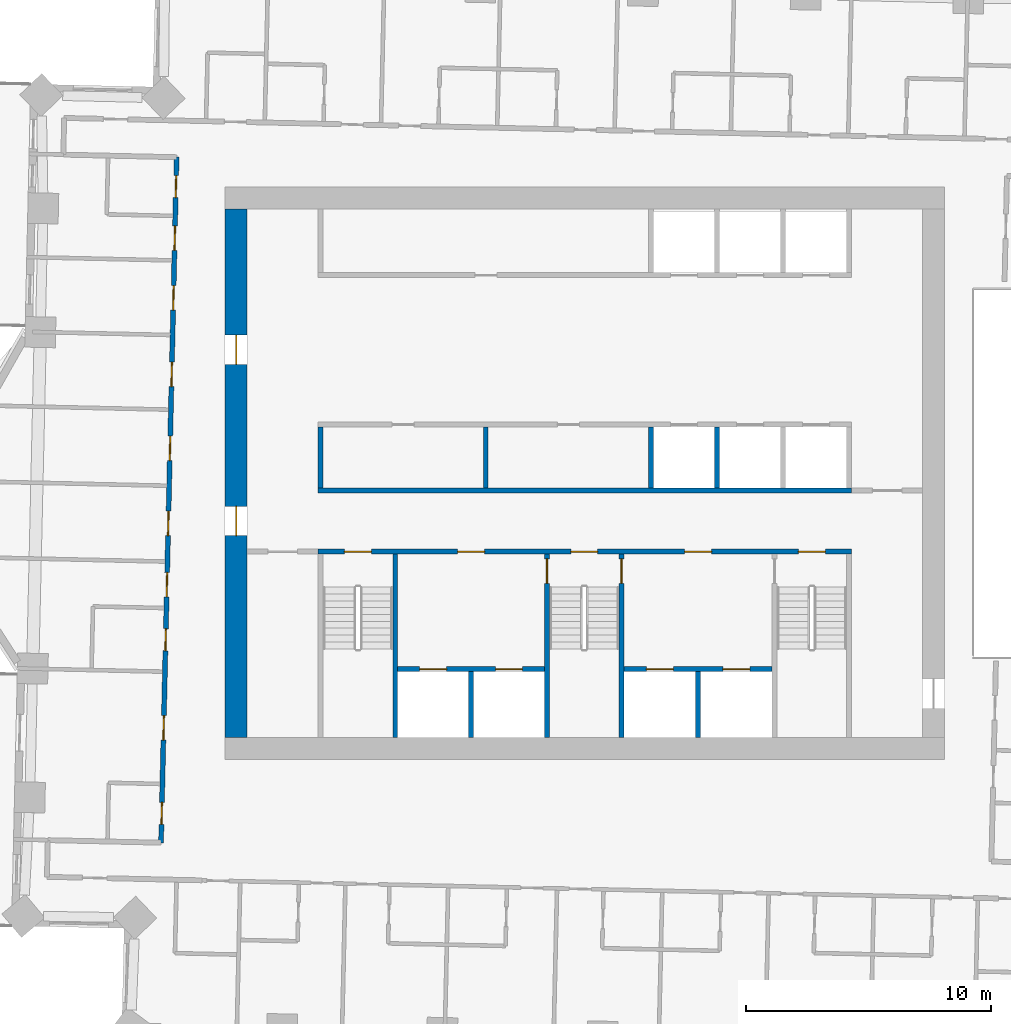
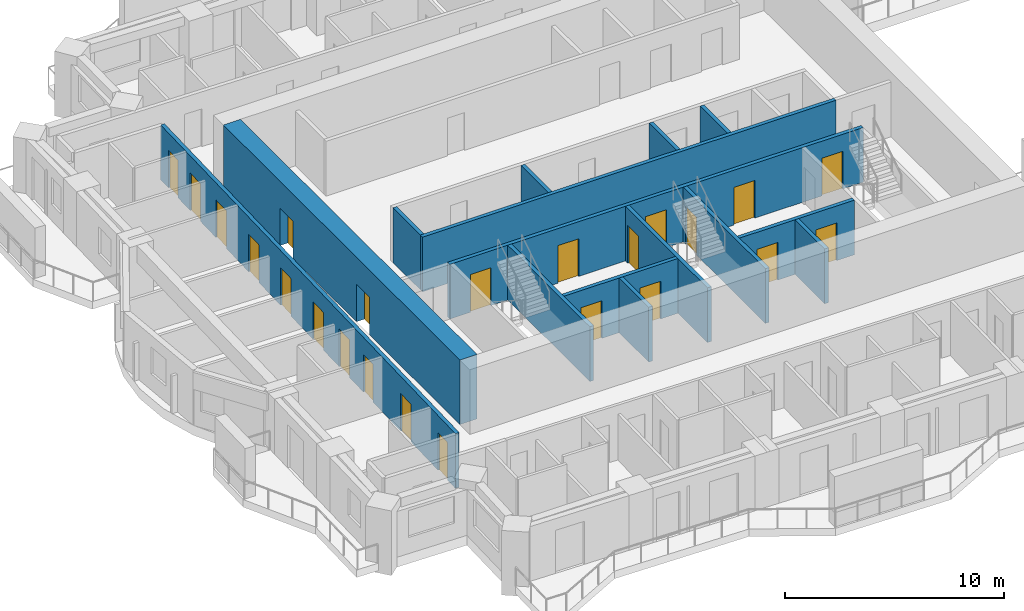
# One storey, part 6 of 15: 23 doors, 15 walls, 23 openings.
"""IFC4 building model written with IfcOpenShell, lengths in metres."""

from ifc_helpers import new_model, si_unit, direction, frame, frame_2d, origin, place, context, subcontext, project, spatial, rectangle, extrude, material, layer, layer_set, type_object, element, fill, save


model = new_model("IFC4")

# Units and contexts
model_context = context("Model", 3, precision=1e-05, world=origin(), true_north=direction((0.0, 1.0)))
body_context = subcontext(model_context, "Body", "Model", "MODEL_VIEW")
ifc_project = project(units=[si_unit("LENGTHUNIT", "METRE"), si_unit("AREAUNIT", "SQUARE_METRE"), si_unit("VOLUMEUNIT", "CUBIC_METRE"), si_unit("PLANEANGLEUNIT", "RADIAN"), si_unit("MASSUNIT", "GRAM", prefix="KILO")], contexts=[model_context])

# Site, building, storey
site_placement = place(None, origin())
site = spatial("IfcSite", under=ifc_project, at=site_placement, CompositionType="ELEMENT")
building_placement = place(site_placement, origin())
building = spatial("IfcBuilding", under=site, at=building_placement, Name="Mangrove Gate Tower", CompositionType="ELEMENT")
storey_placement = place(building_placement, frame((0.0, 0.0, 156.300048828125)))
storey = spatial("IfcBuildingStorey", under=building, at=storey_placement, Name="L39", CompositionType="ELEMENT", Elevation=156.300048828125)

# Walls
ifc_material_1 = material(Name="Concrete C32/40", Category="concrete")
ifc_layer_1 = layer(ifc_material_1, 0.199951171875)
ifc_layer_set_1 = layer_set([ifc_layer_1], Name="Core room wall 200 C32/40")
wall_type_1 = type_object("IfcWallType", Name="Core room wall 200 C32/40", PredefinedType="STANDARD", material=ifc_layer_set_1)
for number, where, z_axis, x_axis, name in (
    (1, (-10.800048828125, -0.60009765625, 0.0), (0.0, 0.0, 1.0), (0.0, 1.0, 0.0), "WALL-L39-CORE-19"),
    (2, (-4.050048828125, -0.60009765625, 0.0), (0.0, 0.0, 1.0), (0.0, 1.0, 0.0), "WALL-L39-CORE-20"),
):
    element("IfcWall", number, at=place(storey_placement, frame(where, z_axis=z_axis, x_axis=x_axis)), inside=storey, type_object=wall_type_1, Name=name, PredefinedType="STANDARD", context=body_context, shape_type="SweptSolid", body=[
        extrude(rectangle(XDim=2.5, YDim=0.199951171875, at=frame_2d((1.25, 0.0))), origin(), (0.0, 0.0, 1.0), 3.050048828125),
    ])
ifc_material_2 = material(Name="Concrete C60/75", Category="concrete")
ifc_layer_2 = layer(ifc_material_2, 0.199951171875)
ifc_layer_set_2 = layer_set([ifc_layer_2], Name="Core shaft wall 200 C60/75")
wall_type_2 = type_object("IfcWallType", Name="Core shaft wall 200 C60/75", PredefinedType="SHEAR", material=ifc_layer_set_2)
wall_1_placement = place(storey_placement, frame((-10.89990234375, -0.699951171875, 0.0), z_axis=(0.0, 0.0, 1.0), x_axis=(1.0, 0.0, 0.0)))
element("IfcWall", 3, at=wall_1_placement, inside=storey, type_object=wall_type_2, Name="WALL-L39-CORE-6", PredefinedType="SHEAR", context=body_context, shape_type="SweptSolid", body=[
    extrude(rectangle(XDim=21.7998046875, YDim=0.199951171875, at=frame_2d((10.89990234375, 0.0))), origin(), (0.0, 0.0, 1.0), 3.050048828125),
])

# Wall, openings, doors
wall_2_placement = place(storey_placement, frame((-7.64990234375, -8.0, 0.0), z_axis=(0.0, 0.0, 1.0), x_axis=(1.0, 0.0, 0.0)))
wall_2 = element("IfcWall", 4, at=wall_2_placement, inside=storey, type_object=wall_type_2, Name="WALL-L39-CORE-15", PredefinedType="SHEAR", context=body_context, shape_type="SweptSolid", body=[
    extrude(rectangle(XDim=6.0, YDim=0.199951171875, at=frame_2d((3.0, 0.0))), origin(), (0.0, 0.0, 1.0), 3.050048828125),
])
opening_1_placement = place(wall_2_placement, frame((0.89990234375, 0.0, 0.0)))
opening_1 = element("IfcOpeningElement", 5, at=opening_1_placement, cuts=wall_2, Name="Opening LD", PredefinedType="OPENING", context=body_context, shape_type="SweptSolid", body=[
    extrude(rectangle(XDim=1.10009765625, YDim=2.10009765625, at=frame_2d((0.550048828125, 1.050048828125))), frame((0.0, 0.10986328125, 0.0), z_axis=(0.0, -1.0, 0.0), x_axis=(1.0, 0.0, 0.0)), (0.0, 0.0, 1.0), 0.219970703125),
])
opening_2_placement = place(wall_2_placement, frame((4.0, 0.0, 0.0)))
opening_2 = element("IfcOpeningElement", 6, at=opening_2_placement, cuts=wall_2, Name="Opening LD", PredefinedType="OPENING", context=body_context, shape_type="SweptSolid", body=[
    extrude(rectangle(XDim=1.10009765625, YDim=2.10009765625, at=frame_2d((0.550048828125, 1.050048828125))), frame((0.0, 0.10986328125, 0.0), z_axis=(0.0, -1.0, 0.0), x_axis=(1.0, 0.0, 0.0)), (0.0, 0.0, 1.0), 0.219970703125),
])
ifc_material_3 = material(Name="Stainless steel 316", Category="steel")
door_type_1 = type_object("IfcDoorType", Name="Lift landing door 1100x2100", OperationType="SLIDING_TO_LEFT", PredefinedType="DOOR", material=ifc_material_3)
door_1_placement = place(opening_1_placement, origin())
door_1 = element("IfcDoor", 7, at=door_1_placement, inside=storey, type_object=door_type_1, Name="Landing door LD SVL1", OperationType="SLIDING_TO_LEFT", OverallHeight=2.10009765625, OverallWidth=1.10009765625, PredefinedType="DOOR", context=body_context, shape_type="SweptSolid", body=[
    extrude(rectangle(XDim=1.10009765625, YDim=2.10009765625, at=frame_2d((0.550048828125, 1.050048828125))), frame((0.0, 0.02490234375, 0.0), z_axis=(0.0, -1.0, 0.0), x_axis=(1.0, 0.0, 0.0)), (0.0, 0.0, 1.0), 0.050048828125),
])
fill(opening_1, door_1)
door_2_placement = place(opening_2_placement, origin())
door_2 = element("IfcDoor", 8, at=door_2_placement, inside=storey, type_object=door_type_1, Name="Landing door LD SVL2", OperationType="SLIDING_TO_LEFT", OverallHeight=2.10009765625, OverallWidth=1.10009765625, PredefinedType="DOOR", context=body_context, shape_type="SweptSolid", body=[
    extrude(rectangle(XDim=1.10009765625, YDim=2.10009765625, at=frame_2d((0.550048828125, 1.050048828125))), frame((0.0, 0.02490234375, 0.0), z_axis=(0.0, -1.0, 0.0), x_axis=(1.0, 0.0, 0.0)), (0.0, 0.0, 1.0), 0.050048828125),
])
fill(opening_2, door_2)

# Wall
wall_3_placement = place(storey_placement, frame((-4.64990234375, -10.800048828125, 0.0), z_axis=(0.0, 0.0, 1.0), x_axis=(0.0, 1.0, 0.0)))
element("IfcWall", 9, at=wall_3_placement, inside=storey, type_object=wall_type_2, Name="WALL-L39-CORE-16", PredefinedType="SHEAR", context=body_context, shape_type="SweptSolid", body=[
    extrude(rectangle(XDim=2.699951171875, YDim=0.199951171875, at=frame_2d((1.35009765625, 0.0))), origin(), (0.0, 0.0, 1.0), 3.050048828125),
])

# Wall, openings, doors
wall_4_placement = place(storey_placement, frame((1.60009765625, -8.0, 0.0), z_axis=(0.0, 0.0, 1.0), x_axis=(1.0, 0.0, 0.0)))
wall_4 = element("IfcWall", 10, at=wall_4_placement, inside=storey, type_object=wall_type_2, Name="WALL-L39-CORE-17", PredefinedType="SHEAR", context=body_context, shape_type="SweptSolid", body=[
    extrude(rectangle(XDim=6.0498046875, YDim=0.199951171875, at=frame_2d((3.02490234375, 0.0))), origin(), (0.0, 0.0, 1.0), 3.050048828125),
])
opening_3_placement = place(wall_4_placement, frame((0.91259765625, 0.0, 0.0)))
opening_3 = element("IfcOpeningElement", 11, at=opening_3_placement, cuts=wall_4, Name="Opening LD", PredefinedType="OPENING", context=body_context, shape_type="SweptSolid", body=[
    extrude(rectangle(XDim=1.10009765625, YDim=2.10009765625, at=frame_2d((0.550048828125, 1.050048828125))), frame((0.0, 0.10986328125, 0.0), z_axis=(0.0, -1.0, 0.0), x_axis=(1.0, 0.0, 0.0)), (0.0, 0.0, 1.0), 0.219970703125),
])
opening_4_placement = place(wall_4_placement, frame((4.03759765625, 0.0, 0.0)))
opening_4 = element("IfcOpeningElement", 12, at=opening_4_placement, cuts=wall_4, Name="Opening LD", PredefinedType="OPENING", context=body_context, shape_type="SweptSolid", body=[
    extrude(rectangle(XDim=1.10009765625, YDim=2.10009765625, at=frame_2d((0.550048828125, 1.050048828125))), frame((0.0, 0.10986328125, 0.0), z_axis=(0.0, -1.0, 0.0), x_axis=(1.0, 0.0, 0.0)), (0.0, 0.0, 1.0), 0.219970703125),
])
door_3_placement = place(opening_3_placement, origin())
door_3 = element("IfcDoor", 13, at=door_3_placement, inside=storey, type_object=door_type_1, Name="Landing door LD FFL1", OperationType="SLIDING_TO_LEFT", OverallHeight=2.10009765625, OverallWidth=1.10009765625, PredefinedType="DOOR", context=body_context, shape_type="SweptSolid", body=[
    extrude(rectangle(XDim=1.10009765625, YDim=2.10009765625, at=frame_2d((0.550048828125, 1.050048828125))), frame((0.0, 0.02490234375, 0.0), z_axis=(0.0, -1.0, 0.0), x_axis=(1.0, 0.0, 0.0)), (0.0, 0.0, 1.0), 0.050048828125),
])
fill(opening_3, door_3)
door_4_placement = place(opening_4_placement, origin())
door_4 = element("IfcDoor", 14, at=door_4_placement, inside=storey, type_object=door_type_1, Name="Landing door LD FFL2", OperationType="SLIDING_TO_LEFT", OverallHeight=2.10009765625, OverallWidth=1.10009765625, PredefinedType="DOOR", context=body_context, shape_type="SweptSolid", body=[
    extrude(rectangle(XDim=1.10009765625, YDim=2.10009765625, at=frame_2d((0.550048828125, 1.050048828125))), frame((0.0, 0.02490234375, 0.0), z_axis=(0.0, -1.0, 0.0), x_axis=(1.0, 0.0, 0.0)), (0.0, 0.0, 1.0), 0.050048828125),
])
fill(opening_4, door_4)

# Walls
wall_5_placement = place(storey_placement, frame((4.625, -10.800048828125, 0.0), z_axis=(0.0, 0.0, 1.0), x_axis=(0.0, 1.0, 0.0)))
element("IfcWall", 15, at=wall_5_placement, inside=storey, type_object=wall_type_2, Name="WALL-L39-CORE-18", PredefinedType="SHEAR", context=body_context, shape_type="SweptSolid", body=[
    extrude(rectangle(XDim=2.699951171875, YDim=0.199951171875, at=frame_2d((1.35009765625, 0.0))), origin(), (0.0, 0.0, 1.0), 3.050048828125),
])
for number, where, z_axis, x_axis, name in (
    (16, (2.699951171875, -0.60009765625, 0.0), (0.0, 0.0, 1.0), (0.0, 1.0, 0.0), "WALL-L39-CORE-21"),
    (17, (5.39990234375, -0.60009765625, 0.0), (0.0, 0.0, 1.0), (0.0, 1.0, 0.0), "WALL-L39-CORE-22"),
):
    element("IfcWall", number, at=place(storey_placement, frame(where, z_axis=z_axis, x_axis=x_axis)), inside=storey, type_object=wall_type_2, Name=name, PredefinedType="SHEAR", context=body_context, shape_type="SweptSolid", body=[
        extrude(rectangle(XDim=2.5, YDim=0.199951171875, at=frame_2d((1.25, 0.0))), origin(), (0.0, 0.0, 1.0), 3.050048828125),
    ])

# Wall, openings, doors
ifc_material_4 = material(Name="Concrete C60/75", Category="concrete")
ifc_layer_3 = layer(ifc_material_4, 0.199951171875)
ifc_layer_set_3 = layer_set([ifc_layer_3], Name="Core stair wall 200 C60/75")
wall_type_3 = type_object("IfcWallType", Name="Core stair wall 200 C60/75", PredefinedType="SHEAR", material=ifc_layer_set_3)
wall_6_placement = place(storey_placement, frame((-10.89990234375, -3.199951171875, 0.0), z_axis=(0.0, 0.0, 1.0), x_axis=(1.0, 0.0, 0.0)))
wall_6 = element("IfcWall", 18, at=wall_6_placement, inside=storey, type_object=wall_type_3, Name="WALL-L39-CORE-5", PredefinedType="SHEAR", context=body_context, shape_type="SweptSolid", body=[
    extrude(rectangle(XDim=21.7998046875, YDim=0.199951171875, at=frame_2d((10.89990234375, 0.0))), origin(), (0.0, 0.0, 1.0), 3.050048828125),
])
opening_5_placement = place(wall_6_placement, frame((1.074951171875, 0.0, 0.0)))
opening_5 = element("IfcOpeningElement", 19, at=opening_5_placement, cuts=wall_6, Name="Opening STD11", PredefinedType="OPENING", context=body_context, shape_type="SweptSolid", body=[
    extrude(rectangle(XDim=1.10009765625, YDim=2.10009765625, at=frame_2d((0.550048828125, 1.050048828125))), frame((0.0, 0.10986328125, 0.0), z_axis=(0.0, -1.0, 0.0), x_axis=(1.0, 0.0, 0.0)), (0.0, 0.0, 1.0), 0.219970703125),
])
opening_6_placement = place(wall_6_placement, frame((10.324951171875, 0.0, 0.0)))
opening_6 = element("IfcOpeningElement", 20, at=opening_6_placement, cuts=wall_6, Name="Opening STD11", PredefinedType="OPENING", context=body_context, shape_type="SweptSolid", body=[
    extrude(rectangle(XDim=1.10009765625, YDim=2.10009765625, at=frame_2d((0.550048828125, 1.050048828125))), frame((0.0, 0.10986328125, 0.0), z_axis=(0.0, -1.0, 0.0), x_axis=(1.0, 0.0, 0.0)), (0.0, 0.0, 1.0), 0.219970703125),
])
opening_7_placement = place(wall_6_placement, frame((19.625, 0.0, 0.0)))
opening_7 = element("IfcOpeningElement", 21, at=opening_7_placement, cuts=wall_6, Name="Opening STD11", PredefinedType="OPENING", context=body_context, shape_type="SweptSolid", body=[
    extrude(rectangle(XDim=1.10009765625, YDim=2.10009765625, at=frame_2d((0.550048828125, 1.050048828125))), frame((0.0, 0.10986328125, 0.0), z_axis=(0.0, -1.0, 0.0), x_axis=(1.0, 0.0, 0.0)), (0.0, 0.0, 1.0), 0.219970703125),
])
opening_8_placement = place(wall_6_placement, frame((5.699951171875, 0.0, 0.0)))
opening_8 = element("IfcOpeningElement", 22, at=opening_8_placement, cuts=wall_6, Name="Opening FL", PredefinedType="OPENING", context=body_context, shape_type="SweptSolid", body=[
    extrude(rectangle(XDim=1.10009765625, YDim=2.10009765625, at=frame_2d((0.550048828125, 1.050048828125))), frame((0.0, 0.10986328125, 0.0), z_axis=(0.0, -1.0, 0.0), x_axis=(1.0, 0.0, 0.0)), (0.0, 0.0, 1.0), 0.219970703125),
])
opening_9_placement = place(wall_6_placement, frame((14.97509765625, 0.0, 0.0)))
opening_9 = element("IfcOpeningElement", 23, at=opening_9_placement, cuts=wall_6, Name="Opening FL", PredefinedType="OPENING", context=body_context, shape_type="SweptSolid", body=[
    extrude(rectangle(XDim=1.10009765625, YDim=2.10009765625, at=frame_2d((0.550048828125, 1.050048828125))), frame((0.0, 0.10986328125, 0.0), z_axis=(0.0, -1.0, 0.0), x_axis=(1.0, 0.0, 0.0)), (0.0, 0.0, 1.0), 0.219970703125),
])
ifc_material_5 = material(Name="Fire-rated steel door set", Category="steel")
door_type_2 = type_object("IfcDoorType", Name="Lobby door FD60 1100x2100", OperationType="SINGLE_SWING_LEFT", PredefinedType="DOOR", material=ifc_material_5)
door_5_placement = place(opening_8_placement, origin())
door_5 = element("IfcDoor", 24, at=door_5_placement, inside=storey, type_object=door_type_2, Name="Lobby door service lobby", OperationType="SINGLE_SWING_LEFT", OverallHeight=2.10009765625, OverallWidth=1.10009765625, PredefinedType="DOOR", context=body_context, shape_type="SweptSolid", body=[
    extrude(rectangle(XDim=1.10009765625, YDim=2.10009765625, at=frame_2d((0.550048828125, 1.050048828125))), frame((0.0, 0.02490234375, 0.0), z_axis=(0.0, -1.0, 0.0), x_axis=(1.0, 0.0, 0.0)), (0.0, 0.0, 1.0), 0.050048828125),
])
fill(opening_8, door_5)
door_6_placement = place(opening_9_placement, origin())
door_6 = element("IfcDoor", 25, at=door_6_placement, inside=storey, type_object=door_type_2, Name="Lobby door fire-fighting lobby", OperationType="SINGLE_SWING_LEFT", OverallHeight=2.10009765625, OverallWidth=1.10009765625, PredefinedType="DOOR", context=body_context, shape_type="SweptSolid", body=[
    extrude(rectangle(XDim=1.10009765625, YDim=2.10009765625, at=frame_2d((0.550048828125, 1.050048828125))), frame((0.0, 0.02490234375, 0.0), z_axis=(0.0, -1.0, 0.0), x_axis=(1.0, 0.0, 0.0)), (0.0, 0.0, 1.0), 0.050048828125),
])
fill(opening_9, door_6)
ifc_material_6 = material(Name="Fire-rated steel door set", Category="steel")
door_type_3 = type_object("IfcDoorType", Name="Stair door FD60 1100x2100", OperationType="SINGLE_SWING_RIGHT", PredefinedType="DOOR", material=ifc_material_6)
door_7_placement = place(opening_5_placement, origin())
door_7 = element("IfcDoor", 26, at=door_7_placement, inside=storey, type_object=door_type_3, Name="Stair door Stair 1", OperationType="SINGLE_SWING_RIGHT", OverallHeight=2.10009765625, OverallWidth=1.10009765625, PredefinedType="DOOR", context=body_context, shape_type="SweptSolid", body=[
    extrude(rectangle(XDim=1.10009765625, YDim=2.10009765625, at=frame_2d((0.550048828125, 1.050048828125))), frame((0.0, 0.02490234375, 0.0), z_axis=(0.0, -1.0, 0.0), x_axis=(1.0, 0.0, 0.0)), (0.0, 0.0, 1.0), 0.050048828125),
])
fill(opening_5, door_7)
door_8_placement = place(opening_6_placement, origin())
door_8 = element("IfcDoor", 27, at=door_8_placement, inside=storey, type_object=door_type_3, Name="Stair door Stair 2", OperationType="SINGLE_SWING_RIGHT", OverallHeight=2.10009765625, OverallWidth=1.10009765625, PredefinedType="DOOR", context=body_context, shape_type="SweptSolid", body=[
    extrude(rectangle(XDim=1.10009765625, YDim=2.10009765625, at=frame_2d((0.550048828125, 1.050048828125))), frame((0.0, 0.02490234375, 0.0), z_axis=(0.0, -1.0, 0.0), x_axis=(1.0, 0.0, 0.0)), (0.0, 0.0, 1.0), 0.050048828125),
])
fill(opening_6, door_8)
door_9_placement = place(opening_7_placement, origin())
door_9 = element("IfcDoor", 28, at=door_9_placement, inside=storey, type_object=door_type_3, Name="Stair door Stair 3", OperationType="SINGLE_SWING_RIGHT", OverallHeight=2.10009765625, OverallWidth=1.10009765625, PredefinedType="DOOR", context=body_context, shape_type="SweptSolid", body=[
    extrude(rectangle(XDim=1.10009765625, YDim=2.10009765625, at=frame_2d((0.550048828125, 1.050048828125))), frame((0.0, 0.02490234375, 0.0), z_axis=(0.0, -1.0, 0.0), x_axis=(1.0, 0.0, 0.0)), (0.0, 0.0, 1.0), 0.050048828125),
])
fill(opening_7, door_9)

# Wall
wall_7_placement = place(storey_placement, frame((-7.75, -10.800048828125, 0.0), z_axis=(0.0, 0.0, 1.0), x_axis=(0.0, 1.0, 0.0)))
element("IfcWall", 29, at=wall_7_placement, inside=storey, type_object=wall_type_3, Name="WALL-L39-CORE-10", PredefinedType="SHEAR", context=body_context, shape_type="SweptSolid", body=[
    extrude(rectangle(XDim=7.5, YDim=0.199951171875, at=frame_2d((3.75, 0.0))), origin(), (0.0, 0.0, 1.0), 3.050048828125),
])

# Wall, opening, door
wall_8_placement = place(storey_placement, frame((-1.550048828125, -10.800048828125, 0.0), z_axis=(0.0, 0.0, 1.0), x_axis=(0.0, 1.0, 0.0)))
wall_8 = element("IfcWall", 30, at=wall_8_placement, inside=storey, type_object=wall_type_3, Name="WALL-L39-CORE-11", PredefinedType="SHEAR", context=body_context, shape_type="SweptSolid", body=[
    extrude(rectangle(XDim=7.5, YDim=0.199951171875, at=frame_2d((3.75, 0.0))), origin(), (0.0, 0.0, 1.0), 3.050048828125),
])
opening_10_placement = place(wall_8_placement, frame((6.300048828125, 0.0, 0.0)))
opening_10 = element("IfcOpeningElement", 31, at=opening_10_placement, cuts=wall_8, Name="Opening STD10", PredefinedType="OPENING", context=body_context, shape_type="SweptSolid", body=[
    extrude(rectangle(XDim=1.0, YDim=2.10009765625, at=frame_2d((0.5, 1.050048828125))), frame((0.0, 0.10986328125, 0.0), z_axis=(0.0, -1.0, 0.0), x_axis=(1.0, 0.0, 0.0)), (0.0, 0.0, 1.0), 0.219970703125),
])
ifc_material_7 = material(Name="Fire-rated steel door set", Category="steel")
door_type_4 = type_object("IfcDoorType", Name="Stair door FD60 1000x2100", OperationType="SINGLE_SWING_RIGHT", PredefinedType="DOOR", material=ifc_material_7)
door_10_placement = place(opening_10_placement, origin())
door_10 = element("IfcDoor", 32, at=door_10_placement, inside=storey, type_object=door_type_4, Name="Stair door Stair 2 from service lobby", OperationType="SINGLE_SWING_RIGHT", OverallHeight=2.10009765625, OverallWidth=1.0, PredefinedType="DOOR", context=body_context, shape_type="SweptSolid", body=[
    extrude(rectangle(XDim=1.0, YDim=2.10009765625, at=frame_2d((0.5, 1.050048828125))), frame((0.0, 0.02490234375, 0.0), z_axis=(0.0, -1.0, 0.0), x_axis=(1.0, 0.0, 0.0)), (0.0, 0.0, 1.0), 0.050048828125),
])
fill(opening_10, door_10)

wall_9_placement = place(storey_placement, frame((1.5, -10.800048828125, 0.0), z_axis=(0.0, 0.0, 1.0), x_axis=(0.0, 1.0, 0.0)))
wall_9 = element("IfcWall", 33, at=wall_9_placement, inside=storey, type_object=wall_type_3, Name="WALL-L39-CORE-12", PredefinedType="SHEAR", context=body_context, shape_type="SweptSolid", body=[
    extrude(rectangle(XDim=7.5, YDim=0.199951171875, at=frame_2d((3.75, 0.0))), origin(), (0.0, 0.0, 1.0), 3.050048828125),
])
opening_11_placement = place(wall_9_placement, frame((6.300048828125, 0.0, 0.0)))
opening_11 = element("IfcOpeningElement", 34, at=opening_11_placement, cuts=wall_9, Name="Opening STD10", PredefinedType="OPENING", context=body_context, shape_type="SweptSolid", body=[
    extrude(rectangle(XDim=1.0, YDim=2.10009765625, at=frame_2d((0.5, 1.050048828125))), frame((0.0, 0.10986328125, 0.0), z_axis=(0.0, -1.0, 0.0), x_axis=(1.0, 0.0, 0.0)), (0.0, 0.0, 1.0), 0.219970703125),
])
door_11_placement = place(opening_11_placement, origin())
door_11 = element("IfcDoor", 35, at=door_11_placement, inside=storey, type_object=door_type_4, Name="Stair door Stair 2 from fire-fighting lobby", OperationType="SINGLE_SWING_RIGHT", OverallHeight=2.10009765625, OverallWidth=1.0, PredefinedType="DOOR", context=body_context, shape_type="SweptSolid", body=[
    extrude(rectangle(XDim=1.0, YDim=2.10009765625, at=frame_2d((0.5, 1.050048828125))), frame((0.0, 0.02490234375, 0.0), z_axis=(0.0, -1.0, 0.0), x_axis=(1.0, 0.0, 0.0)), (0.0, 0.0, 1.0), 0.050048828125),
])
fill(opening_11, door_11)

# Wall, openings, doors
ifc_material_8 = material(Name="Concrete C60/75", Category="concrete")
ifc_layer_4 = layer(ifc_material_8, 0.89990234375)
ifc_layer_set_4 = layer_set([ifc_layer_4], Name="Core wall 900 C60/75")
wall_type_4 = type_object("IfcWallType", Name="Core wall 900 C60/75", PredefinedType="SHEAR", material=ifc_layer_set_4)
wall_10_placement = place(storey_placement, frame((-14.25, -10.800048828125, 0.0), z_axis=(0.0, 0.0, 1.0), x_axis=(0.0, 1.0, 0.0)))
wall_10 = element("IfcWall", 36, at=wall_10_placement, inside=storey, type_object=wall_type_4, Name="WALL-L39-CORE-3", PredefinedType="SHEAR", context=body_context, shape_type="SweptSolid", body=[
    extrude(rectangle(XDim=21.60009765625, YDim=0.89990234375, at=frame_2d((10.800048828125, 0.0))), origin(), (0.0, 0.0, 1.0), 3.599853515625),
])
opening_12_placement = place(wall_10_placement, frame((8.25, 0.0, 0.0)))
opening_12 = element("IfcOpeningElement", 37, at=opening_12_placement, cuts=wall_10, Name="Opening CD", PredefinedType="OPENING", context=body_context, shape_type="SweptSolid", body=[
    extrude(rectangle(XDim=1.199951171875, YDim=2.10009765625, at=frame_2d((0.60009765625, 1.050048828125))), frame((0.0, 0.4599609375, 0.0), z_axis=(0.0, -1.0, 0.0), x_axis=(1.0, 0.0, 0.0)), (0.0, 0.0, 1.0), 0.919921875),
])
opening_13_placement = place(wall_10_placement, frame((15.25, 0.0, 0.0)))
opening_13 = element("IfcOpeningElement", 38, at=opening_13_placement, cuts=wall_10, Name="Opening CD", PredefinedType="OPENING", context=body_context, shape_type="SweptSolid", body=[
    extrude(rectangle(XDim=1.199951171875, YDim=2.10009765625, at=frame_2d((0.60009765625, 1.050048828125))), frame((0.0, 0.4599609375, 0.0), z_axis=(0.0, -1.0, 0.0), x_axis=(1.0, 0.0, 0.0)), (0.0, 0.0, 1.0), 0.919921875),
])
ifc_material_9 = material(Name="Fire-rated steel door set", Category="steel")
door_type_5 = type_object("IfcDoorType", Name="Core ring door FD60 1200x2100", OperationType="DOUBLE_DOOR_SINGLE_SWING", PredefinedType="DOOR", material=ifc_material_9)
door_12_placement = place(opening_12_placement, origin())
door_12 = element("IfcDoor", 39, at=door_12_placement, inside=storey, type_object=door_type_5, Name="Core ring door W1", OperationType="DOUBLE_DOOR_SINGLE_SWING", OverallHeight=2.10009765625, OverallWidth=1.199951171875, PredefinedType="DOOR", context=body_context, shape_type="SweptSolid", body=[
    extrude(rectangle(XDim=1.199951171875, YDim=2.10009765625, at=frame_2d((0.60009765625, 1.050048828125))), frame((0.0, 0.02490234375, 0.0), z_axis=(0.0, -1.0, 0.0), x_axis=(1.0, 0.0, 0.0)), (0.0, 0.0, 1.0), 0.050048828125),
])
fill(opening_12, door_12)
door_13_placement = place(opening_13_placement, origin())
door_13 = element("IfcDoor", 40, at=door_13_placement, inside=storey, type_object=door_type_5, Name="Core ring door W2", OperationType="DOUBLE_DOOR_SINGLE_SWING", OverallHeight=2.10009765625, OverallWidth=1.199951171875, PredefinedType="DOOR", context=body_context, shape_type="SweptSolid", body=[
    extrude(rectangle(XDim=1.199951171875, YDim=2.10009765625, at=frame_2d((0.60009765625, 1.050048828125))), frame((0.0, 0.02490234375, 0.0), z_axis=(0.0, -1.0, 0.0), x_axis=(1.0, 0.0, 0.0)), (0.0, 0.0, 1.0), 0.050048828125),
])
fill(opening_13, door_13)

ifc_material_10 = material(Name="Gypsum board on steel stud, EI 60", Category="steel")
ifc_layer_5 = layer(ifc_material_10, 0.199951171875)
ifc_layer_set_5 = layer_set([ifc_layer_5], Name="Corridor wall EI 60")
wall_type_5 = type_object("IfcWallType", Name="Corridor wall EI 60", PredefinedType="PARTITIONING", material=ifc_layer_set_5)
wall_11_placement = place(storey_placement, frame((-17.320068359375, -15.097900390625, 0.0), z_axis=(0.0, 0.0, 1.0), x_axis=(0.022694293906, 0.999742451346, 0.0)))
wall_11 = element("IfcWall", 41, at=wall_11_placement, inside=storey, type_object=wall_type_5, Name="WALL-L39-030", PredefinedType="PARTITIONING", context=body_context, shape_type="SweptSolid", body=[
    extrude(rectangle(XDim=28.024169921875, YDim=0.199951171875, at=frame_2d((14.01220703125, 0.0))), origin(), (0.0, 0.0, 1.0), 3.050048828125),
])
opening_14_placement = place(wall_11_placement, frame((24.2119140625, 0.0, 0.0)))
opening_14 = element("IfcOpeningElement", 42, at=opening_14_placement, cuts=wall_11, Name="Opening AD", PredefinedType="OPENING", context=body_context, shape_type="SweptSolid", body=[
    extrude(rectangle(XDim=1.0, YDim=2.10009765625, at=frame_2d((0.5, 1.050048828125))), frame((0.0, 0.10986328125, 0.0), z_axis=(0.0, -1.0, 0.0), x_axis=(1.0, 0.0, 0.0)), (0.0, 0.0, 1.0), 0.219970703125),
])
opening_15_placement = place(wall_11_placement, frame((26.3740234375, 0.0, 0.0)))
opening_15 = element("IfcOpeningElement", 43, at=opening_15_placement, cuts=wall_11, Name="Opening SD", PredefinedType="OPENING", context=body_context, shape_type="SweptSolid", body=[
    extrude(rectangle(XDim=0.89990234375, YDim=2.10009765625, at=frame_2d((0.449951171875, 1.050048828125))), frame((0.0, 0.10986328125, 0.0), z_axis=(0.0, -1.0, 0.0), x_axis=(1.0, 0.0, 0.0)), (0.0, 0.0, 1.0), 0.219970703125),
])
opening_16_placement = place(wall_11_placement, frame((21.77392578125, 0.0, 0.0)))
opening_16 = element("IfcOpeningElement", 44, at=opening_16_placement, cuts=wall_11, Name="Opening AD", PredefinedType="OPENING", context=body_context, shape_type="SweptSolid", body=[
    extrude(rectangle(XDim=1.0, YDim=2.10009765625, at=frame_2d((0.5, 1.050048828125))), frame((0.0, 0.10986328125, 0.0), z_axis=(0.0, -1.0, 0.0), x_axis=(1.0, 0.0, 0.0)), (0.0, 0.0, 1.0), 0.219970703125),
])
opening_17_placement = place(wall_11_placement, frame((18.64990234375, 0.0, 0.0)))
opening_17 = element("IfcOpeningElement", 45, at=opening_17_placement, cuts=wall_11, Name="Opening AD", PredefinedType="OPENING", context=body_context, shape_type="SweptSolid", body=[
    extrude(rectangle(XDim=1.0, YDim=2.10009765625, at=frame_2d((0.5, 1.050048828125))), frame((0.0, 0.10986328125, 0.0), z_axis=(0.0, -1.0, 0.0), x_axis=(1.0, 0.0, 0.0)), (0.0, 0.0, 1.0), 0.219970703125),
])
opening_18_placement = place(wall_11_placement, frame((15.6259765625, 0.0, 0.0)))
opening_18 = element("IfcOpeningElement", 46, at=opening_18_placement, cuts=wall_11, Name="Opening AD", PredefinedType="OPENING", context=body_context, shape_type="SweptSolid", body=[
    extrude(rectangle(XDim=1.0, YDim=2.10009765625, at=frame_2d((0.5, 1.050048828125))), frame((0.0, 0.10986328125, 0.0), z_axis=(0.0, -1.0, 0.0), x_axis=(1.0, 0.0, 0.0)), (0.0, 0.0, 1.0), 0.219970703125),
])
opening_19_placement = place(wall_11_placement, frame((12.556884765625, 0.0, 0.0)))
opening_19 = element("IfcOpeningElement", 47, at=opening_19_placement, cuts=wall_11, Name="Opening AD", PredefinedType="OPENING", context=body_context, shape_type="SweptSolid", body=[
    extrude(rectangle(XDim=1.0, YDim=2.10009765625, at=frame_2d((0.5, 1.050048828125))), frame((0.0, 0.10986328125, 0.0), z_axis=(0.0, -1.0, 0.0), x_axis=(1.0, 0.0, 0.0)), (0.0, 0.0, 1.0), 0.219970703125),
])
opening_20_placement = place(wall_11_placement, frame((10.049072265625, 0.0, 0.0)))
opening_20 = element("IfcOpeningElement", 48, at=opening_20_placement, cuts=wall_11, Name="Opening AD", PredefinedType="OPENING", context=body_context, shape_type="SweptSolid", body=[
    extrude(rectangle(XDim=1.0, YDim=2.10009765625, at=frame_2d((0.5, 1.050048828125))), frame((0.0, 0.10986328125, 0.0), z_axis=(0.0, -1.0, 0.0), x_axis=(1.0, 0.0, 0.0)), (0.0, 0.0, 1.0), 0.219970703125),
])
opening_21_placement = place(wall_11_placement, frame((7.84912109375, 0.0, 0.0)))
opening_21 = element("IfcOpeningElement", 49, at=opening_21_placement, cuts=wall_11, Name="Opening SD", PredefinedType="OPENING", context=body_context, shape_type="SweptSolid", body=[
    extrude(rectangle(XDim=0.89990234375, YDim=2.10009765625, at=frame_2d((0.449951171875, 1.050048828125))), frame((0.0, 0.10986328125, 0.0), z_axis=(0.0, -1.0, 0.0), x_axis=(1.0, 0.0, 0.0)), (0.0, 0.0, 1.0), 0.219970703125),
])
opening_22_placement = place(wall_11_placement, frame((4.198974609375, 0.0, 0.0)))
opening_22 = element("IfcOpeningElement", 50, at=opening_22_placement, cuts=wall_11, Name="Opening AD", PredefinedType="OPENING", context=body_context, shape_type="SweptSolid", body=[
    extrude(rectangle(XDim=1.0, YDim=2.10009765625, at=frame_2d((0.5, 1.050048828125))), frame((0.0, 0.10986328125, 0.0), z_axis=(0.0, -1.0, 0.0), x_axis=(1.0, 0.0, 0.0)), (0.0, 0.0, 1.0), 0.219970703125),
])
opening_23_placement = place(wall_11_placement, frame((0.75, 0.0, 0.0)))
opening_23 = element("IfcOpeningElement", 51, at=opening_23_placement, cuts=wall_11, Name="Opening SD", PredefinedType="OPENING", context=body_context, shape_type="SweptSolid", body=[
    extrude(rectangle(XDim=0.89990234375, YDim=2.10009765625, at=frame_2d((0.449951171875, 1.050048828125))), frame((0.0, 0.10986328125, 0.0), z_axis=(0.0, -1.0, 0.0), x_axis=(1.0, 0.0, 0.0)), (0.0, 0.0, 1.0), 0.219970703125),
])
ifc_material_11 = material(Name="Timber door leaf", Category="wood")
door_type_6 = type_object("IfcDoorType", Name="Amenity door 1000", OperationType="SINGLE_SWING_LEFT", PredefinedType="DOOR", material=ifc_material_11)
door_14_placement = place(opening_14_placement, origin())
door_14 = element("IfcDoor", 52, at=door_14_placement, inside=storey, type_object=door_type_6, Name="DOOR-L39-LNG-c5a", OperationType="SINGLE_SWING_LEFT", OverallHeight=2.10009765625, OverallWidth=1.0, PredefinedType="DOOR", context=body_context, shape_type="SweptSolid", body=[
    extrude(rectangle(XDim=1.0, YDim=2.10009765625, at=frame_2d((0.5, 1.050048828125))), frame((0.0, 0.02490234375, 0.0), z_axis=(0.0, -1.0, 0.0), x_axis=(1.0, 0.0, 0.0)), (0.0, 0.0, 1.0), 0.050048828125),
])
fill(opening_14, door_14)
door_15_placement = place(opening_16_placement, origin())
door_15 = element("IfcDoor", 53, at=door_15_placement, inside=storey, type_object=door_type_6, Name="DOOR-L39-STU-c5b", OperationType="SINGLE_SWING_RIGHT", OverallHeight=2.10009765625, OverallWidth=1.0, PredefinedType="DOOR", context=body_context, shape_type="SweptSolid", body=[
    extrude(rectangle(XDim=1.0, YDim=2.10009765625, at=frame_2d((0.5, 1.050048828125))), frame((0.0, 0.02490234375, 0.0), z_axis=(0.0, -1.0, 0.0), x_axis=(1.0, 0.0, 0.0)), (0.0, 0.0, 1.0), 0.050048828125),
])
fill(opening_16, door_15)
door_16_placement = place(opening_17_placement, origin())
door_16 = element("IfcDoor", 54, at=door_16_placement, inside=storey, type_object=door_type_6, Name="DOOR-L39-STU-c5c", OperationType="SINGLE_SWING_LEFT", OverallHeight=2.10009765625, OverallWidth=1.0, PredefinedType="DOOR", context=body_context, shape_type="SweptSolid", body=[
    extrude(rectangle(XDim=1.0, YDim=2.10009765625, at=frame_2d((0.5, 1.050048828125))), frame((0.0, 0.02490234375, 0.0), z_axis=(0.0, -1.0, 0.0), x_axis=(1.0, 0.0, 0.0)), (0.0, 0.0, 1.0), 0.050048828125),
])
fill(opening_17, door_16)
door_17_placement = place(opening_18_placement, origin())
door_17 = element("IfcDoor", 55, at=door_17_placement, inside=storey, type_object=door_type_6, Name="DOOR-L39-STU-c5d", OperationType="SINGLE_SWING_RIGHT", OverallHeight=2.10009765625, OverallWidth=1.0, PredefinedType="DOOR", context=body_context, shape_type="SweptSolid", body=[
    extrude(rectangle(XDim=1.0, YDim=2.10009765625, at=frame_2d((0.5, 1.050048828125))), frame((0.0, 0.02490234375, 0.0), z_axis=(0.0, -1.0, 0.0), x_axis=(1.0, 0.0, 0.0)), (0.0, 0.0, 1.0), 0.050048828125),
])
fill(opening_18, door_17)
door_18_placement = place(opening_19_placement, origin())
door_18 = element("IfcDoor", 56, at=door_18_placement, inside=storey, type_object=door_type_6, Name="DOOR-L39-STU-c5e", OperationType="SINGLE_SWING_LEFT", OverallHeight=2.10009765625, OverallWidth=1.0, PredefinedType="DOOR", context=body_context, shape_type="SweptSolid", body=[
    extrude(rectangle(XDim=1.0, YDim=2.10009765625, at=frame_2d((0.5, 1.050048828125))), frame((0.0, 0.02490234375, 0.0), z_axis=(0.0, -1.0, 0.0), x_axis=(1.0, 0.0, 0.0)), (0.0, 0.0, 1.0), 0.050048828125),
])
fill(opening_19, door_18)
door_19_placement = place(opening_20_placement, origin())
door_19 = element("IfcDoor", 57, at=door_19_placement, inside=storey, type_object=door_type_6, Name="DOOR-L39-LNG-c5b", OperationType="SINGLE_SWING_RIGHT", OverallHeight=2.10009765625, OverallWidth=1.0, PredefinedType="DOOR", context=body_context, shape_type="SweptSolid", body=[
    extrude(rectangle(XDim=1.0, YDim=2.10009765625, at=frame_2d((0.5, 1.050048828125))), frame((0.0, 0.02490234375, 0.0), z_axis=(0.0, -1.0, 0.0), x_axis=(1.0, 0.0, 0.0)), (0.0, 0.0, 1.0), 0.050048828125),
])
fill(opening_20, door_19)
door_20_placement = place(opening_22_placement, origin())
door_20 = element("IfcDoor", 58, at=door_20_placement, inside=storey, type_object=door_type_6, Name="DOOR-L39-LNG-c5c", OperationType="SINGLE_SWING_LEFT", OverallHeight=2.10009765625, OverallWidth=1.0, PredefinedType="DOOR", context=body_context, shape_type="SweptSolid", body=[
    extrude(rectangle(XDim=1.0, YDim=2.10009765625, at=frame_2d((0.5, 1.050048828125))), frame((0.0, 0.02490234375, 0.0), z_axis=(0.0, -1.0, 0.0), x_axis=(1.0, 0.0, 0.0)), (0.0, 0.0, 1.0), 0.050048828125),
])
fill(opening_22, door_20)
ifc_material_12 = material(Name="Timber door leaf", Category="wood")
door_type_7 = type_object("IfcDoorType", Name="Service room door 900", OperationType="SINGLE_SWING_LEFT", PredefinedType="DOOR", material=ifc_material_12)
door_21_placement = place(opening_15_placement, origin())
door_21 = element("IfcDoor", 59, at=door_21_placement, inside=storey, type_object=door_type_7, Name="DOOR-L39-WC-c5b", OperationType="SINGLE_SWING_LEFT", OverallHeight=2.10009765625, OverallWidth=0.89990234375, PredefinedType="DOOR", context=body_context, shape_type="SweptSolid", body=[
    extrude(rectangle(XDim=0.89990234375, YDim=2.10009765625, at=frame_2d((0.449951171875, 1.050048828125))), frame((0.0, 0.02490234375, 0.0), z_axis=(0.0, -1.0, 0.0), x_axis=(1.0, 0.0, 0.0)), (0.0, 0.0, 1.0), 0.050048828125),
])
fill(opening_15, door_21)
door_22_placement = place(opening_21_placement, origin())
door_22 = element("IfcDoor", 60, at=door_22_placement, inside=storey, type_object=door_type_7, Name="DOOR-L39-AWC-c5a", OperationType="SINGLE_SWING_RIGHT", OverallHeight=2.10009765625, OverallWidth=0.89990234375, PredefinedType="DOOR", context=body_context, shape_type="SweptSolid", body=[
    extrude(rectangle(XDim=0.89990234375, YDim=2.10009765625, at=frame_2d((0.449951171875, 1.050048828125))), frame((0.0, 0.02490234375, 0.0), z_axis=(0.0, -1.0, 0.0), x_axis=(1.0, 0.0, 0.0)), (0.0, 0.0, 1.0), 0.050048828125),
])
fill(opening_21, door_22)
door_23_placement = place(opening_23_placement, origin())
door_23 = element("IfcDoor", 61, at=door_23_placement, inside=storey, type_object=door_type_7, Name="DOOR-L39-LIN-c5a", OperationType="SINGLE_SWING_LEFT", OverallHeight=2.10009765625, OverallWidth=0.89990234375, PredefinedType="DOOR", context=body_context, shape_type="SweptSolid", body=[
    extrude(rectangle(XDim=0.89990234375, YDim=2.10009765625, at=frame_2d((0.449951171875, 1.050048828125))), frame((0.0, 0.02490234375, 0.0), z_axis=(0.0, -1.0, 0.0), x_axis=(1.0, 0.0, 0.0)), (0.0, 0.0, 1.0), 0.050048828125),
])
fill(opening_23, door_23)

save(model, "model.ifc")
